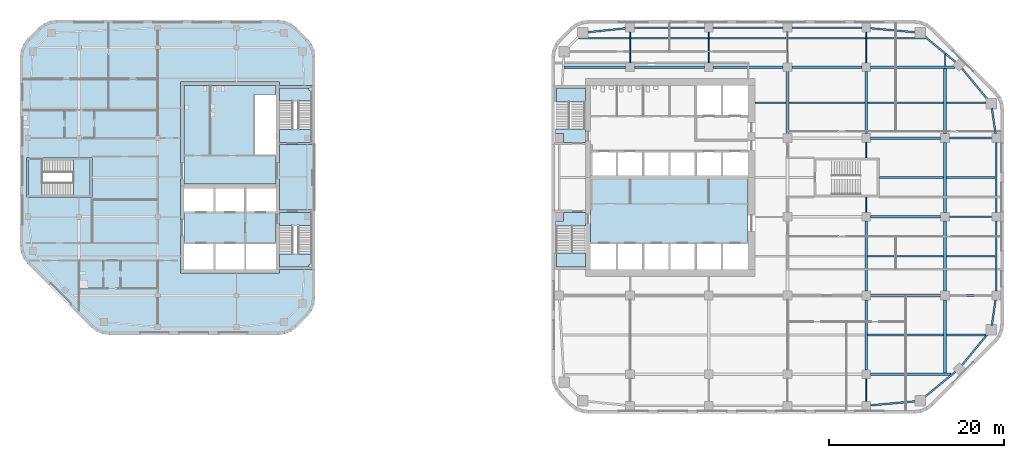
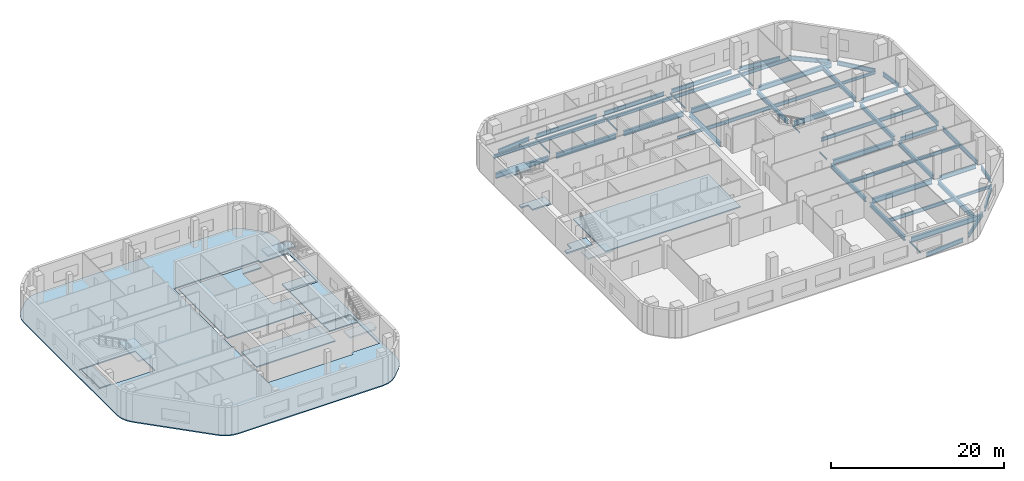
# One storey, part 3 of 14: 57 beams, 14 slabs, 5 elements without a shape of their own.
"""IFC4 building model written with IfcOpenShell, lengths in metres."""

from ifc_helpers import new_model, si_unit, direction, frame, origin, origin_2d, place, context, subcontext, project, spatial, polyline, i_section, outline, extrude, material, layer, layer_set, material_profile, profile_set, type_object, element, aggregate, save


model = new_model("IFC4")

# Units and contexts
model_context = context("Model", 3, precision=1e-05, world=origin(), true_north=direction((0.0, 1.0)))
body_context = subcontext(model_context, "Body", "Model", "MODEL_VIEW")
ifc_project = project(units=[si_unit("LENGTHUNIT", "METRE"), si_unit("AREAUNIT", "SQUARE_METRE"), si_unit("VOLUMEUNIT", "CUBIC_METRE"), si_unit("PLANEANGLEUNIT", "RADIAN"), si_unit("MASSUNIT", "GRAM", prefix="KILO")], contexts=[model_context])

# Site, building, storey
site_placement = place(None, origin())
site = spatial("IfcSite", under=ifc_project, at=site_placement, CompositionType="ELEMENT")
building_placement = place(site_placement, origin())
building = spatial("IfcBuilding", under=site, at=building_placement, Name="Cinnabar Reach Civic Tower", CompositionType="ELEMENT")
storey_placement = place(building_placement, frame((0.0, 0.0, 116.0)))
storey = spatial("IfcBuildingStorey", under=building, at=storey_placement, Name="L27", CompositionType="ELEMENT", Elevation=116.0)

# Beams
ifc_material_1 = material(Name="Steel Q355B", Category="steel")
ifc_material_profile_1 = material_profile(ifc_material_1, i_section(OverallWidth=0.302, OverallDepth=0.594, WebThickness=0.014, FlangeThickness=0.023, FilletRadius=0.016, at=origin_2d()), Name="HM594x302x14x23")
ifc_profile_set_1 = profile_set([ifc_material_profile_1], Name="Steel Q355B")
beam_type_1 = type_object("IfcBeamType", Name="HM594x302x14x23 beam R 180", PredefinedType="BEAM", material=ifc_profile_set_1)
beam_1_placement = place(storey_placement, frame((27.0, 36.502, -0.447), z_axis=(0.0, 1.0, 0.0), x_axis=(-1.0, 0.0, 0.0)))
element("IfcBeam", 1, at=beam_1_placement, inside=storey, type_object=beam_type_1, Name="Girder T1 L27 13", PredefinedType="BEAM", context=body_context, shape_type="SweptSolid", body=[
    extrude(i_section(OverallWidth=0.302, OverallDepth=0.594, WebThickness=0.014, FlangeThickness=0.023, FilletRadius=0.016, at=origin_2d()), origin(), (0.0, 0.0, 1.0), 7.096),
])
for number, where, z_axis, x_axis, name in (
    (2, (36.0, 9.502, -0.447), (0.0, 1.0, 0.0), (-1.0, 0.0, 0.0), "Girder T1 L27 16"),
    (3, (36.0, 18.502, -0.447), (0.0, 1.0, 0.0), (-1.0, 0.0, 0.0), "Girder T1 L27 17"),
):
    element("IfcBeam", number, at=place(storey_placement, frame(where, z_axis=z_axis, x_axis=x_axis)), inside=storey, type_object=beam_type_1, Name=name, PredefinedType="BEAM", context=body_context, shape_type="SweptSolid", body=[
        extrude(i_section(OverallWidth=0.302, OverallDepth=0.594, WebThickness=0.014, FlangeThickness=0.023, FilletRadius=0.016, at=origin_2d()), origin(), (0.0, 0.0, 1.0), 7.996),
    ])
beam_2_placement = place(storey_placement, frame((36.0, 36.502, -0.447), z_axis=(0.0, 1.0, 0.0), x_axis=(-1.0, 0.0, 0.0)))
element("IfcBeam", 4, at=beam_2_placement, inside=storey, type_object=beam_type_1, Name="Girder T1 L27 20", PredefinedType="BEAM", context=body_context, shape_type="SweptSolid", body=[
    extrude(i_section(OverallWidth=0.302, OverallDepth=0.594, WebThickness=0.014, FlangeThickness=0.023, FilletRadius=0.016, at=origin_2d()), origin(), (0.0, 0.0, 1.0), 7.096),
])
beam_3_placement = place(storey_placement, frame((45.0, 9.152, -0.447), z_axis=(0.0, 1.0, 0.0), x_axis=(-1.0, 0.0, 0.0)))
element("IfcBeam", 5, at=beam_3_placement, inside=storey, type_object=beam_type_1, Name="Girder T1 L27 22", PredefinedType="BEAM", context=body_context, shape_type="SweptSolid", body=[
    extrude(i_section(OverallWidth=0.302, OverallDepth=0.594, WebThickness=0.014, FlangeThickness=0.023, FilletRadius=0.016, at=origin_2d()), origin(), (0.0, 0.0, 1.0), 8.346),
])
for number, where, z_axis, x_axis, name in (
    (6, (45.0, 18.502, -0.447), (0.0, 1.0, 0.0), (-1.0, 0.0, 0.0), "Girder T1 L27 23"),
    (7, (45.0, 27.502, -0.447), (0.0, 1.0, 0.0), (-1.0, 0.0, 0.0), "Girder T1 L27 24"),
):
    element("IfcBeam", number, at=place(storey_placement, frame(where, z_axis=z_axis, x_axis=x_axis)), inside=storey, type_object=beam_type_1, Name=name, PredefinedType="BEAM", context=body_context, shape_type="SweptSolid", body=[
        extrude(i_section(OverallWidth=0.302, OverallDepth=0.594, WebThickness=0.014, FlangeThickness=0.023, FilletRadius=0.016, at=origin_2d()), origin(), (0.0, 0.0, 1.0), 7.996),
    ])
beam_4_placement = place(storey_placement, frame((45.0, 36.502, -0.447), z_axis=(0.0, 1.0, 0.0), x_axis=(-1.0, 0.0, 0.0)))
element("IfcBeam", 8, at=beam_4_placement, inside=storey, type_object=beam_type_1, Name="Girder T1 L27 25", PredefinedType="BEAM", context=body_context, shape_type="SweptSolid", body=[
    extrude(i_section(OverallWidth=0.302, OverallDepth=0.594, WebThickness=0.014, FlangeThickness=0.023, FilletRadius=0.016, at=origin_2d()), origin(), (0.0, 0.0, 1.0), 7.446),
])
ifc_material_profile_2 = material_profile(ifc_material_1, i_section(OverallWidth=0.099, OverallDepth=0.198, WebThickness=0.0045, FlangeThickness=0.007, FilletRadius=0.013, at=origin_2d()), Name="HN200x100x5.5x8")
ifc_profile_set_2 = profile_set([ifc_material_profile_2], Name="Steel Q355B")
beam_type_2 = type_object("IfcBeamType", Name="HN200x100x5.5x8 beam R 180", PredefinedType="BEAM", material=ifc_profile_set_2)
for number, where, z_axis, x_axis, name in (
    (9, (9.0, 44.602, -0.249), (0.0, 1.0, 0.0), (-1.0, 0.0, 0.0), "Girder T1 L27 4"),
    (10, (18.0, 44.602, -0.249), (0.0, 1.0, 0.0), (-1.0, 0.0, 0.0), "Girder T1 L27 8"),
    (11, (27.0, 44.602, -0.249), (0.0, 1.0, 0.0), (-1.0, 0.0, 0.0), "Girder T1 L27 14"),
):
    element("IfcBeam", number, at=place(storey_placement, frame(where, z_axis=z_axis, x_axis=x_axis)), inside=storey, type_object=beam_type_2, Name=name, PredefinedType="BEAM", context=body_context, shape_type="SweptSolid", body=[
        extrude(i_section(OverallWidth=0.099, OverallDepth=0.198, WebThickness=0.0045, FlangeThickness=0.007, FilletRadius=0.013, at=origin_2d()), origin(), (0.0, 0.0, 1.0), 3.496),
    ])
beam_5_placement = place(storey_placement, frame((36.0, 5.902, -0.249), z_axis=(0.0, 1.0, 0.0), x_axis=(-1.0, 0.0, 0.0)))
element("IfcBeam", 12, at=beam_5_placement, inside=storey, type_object=beam_type_2, Name="Girder T1 L27 15", PredefinedType="BEAM", context=body_context, shape_type="SweptSolid", body=[
    extrude(i_section(OverallWidth=0.099, OverallDepth=0.198, WebThickness=0.0045, FlangeThickness=0.007, FilletRadius=0.013, at=origin_2d()), origin(), (0.0, 0.0, 1.0), 2.596),
])
for number, where, z_axis, x_axis, name in (
    (13, (36.0, 27.502, -0.249), (0.0, 1.0, 0.0), (-1.0, 0.0, 0.0), "Girder T1 L27 18"),
    (14, (36.0, 33.752, -0.249), (0.0, 1.0, 0.0), (-1.0, 0.0, 0.0), "Girder T1 L27 19"),
):
    element("IfcBeam", number, at=place(storey_placement, frame(where, z_axis=z_axis, x_axis=x_axis)), inside=storey, type_object=beam_type_2, Name=name, PredefinedType="BEAM", context=body_context, shape_type="SweptSolid", body=[
        extrude(i_section(OverallWidth=0.099, OverallDepth=0.198, WebThickness=0.0045, FlangeThickness=0.007, FilletRadius=0.013, at=origin_2d()), origin(), (0.0, 0.0, 1.0), 1.746),
    ])
beam_6_placement = place(storey_placement, frame((36.0, 44.602, -0.249), z_axis=(0.0, 1.0, 0.0), x_axis=(-1.0, 0.0, 0.0)))
element("IfcBeam", 15, at=beam_6_placement, inside=storey, type_object=beam_type_2, Name="Girder T1 L27 21", PredefinedType="BEAM", context=body_context, shape_type="SweptSolid", body=[
    extrude(i_section(OverallWidth=0.099, OverallDepth=0.198, WebThickness=0.0045, FlangeThickness=0.007, FilletRadius=0.013, at=origin_2d()), origin(), (0.0, 0.0, 1.0), 3.496),
])
beam_7_placement = place(storey_placement, frame((45.0, 44.252, -0.249), z_axis=(0.0, 1.0, 0.0), x_axis=(-1.0, 0.0, 0.0)))
element("IfcBeam", 16, at=beam_7_placement, inside=storey, type_object=beam_type_2, Name="Girder T1 L27 26", PredefinedType="BEAM", context=body_context, shape_type="SweptSolid", body=[
    extrude(i_section(OverallWidth=0.099, OverallDepth=0.198, WebThickness=0.0045, FlangeThickness=0.007, FilletRadius=0.013, at=origin_2d()), origin(), (0.0, 0.0, 1.0), 1.3103),
])
ifc_material_profile_3 = material_profile(ifc_material_1, i_section(OverallWidth=0.199, OverallDepth=0.396, WebThickness=0.007, FlangeThickness=0.011, FilletRadius=0.013, at=origin_2d()), Name="HN396x199x7x11")
ifc_profile_set_3 = profile_set([ifc_material_profile_3], Name="Steel Q355B")
beam_type_3 = type_object("IfcBeamType", Name="HN396x199x7x11 beam R 180", PredefinedType="BEAM", material=ifc_profile_set_3)
beam_8_placement = place(storey_placement, frame((45.153, 13.5, -0.348), z_axis=(1.0, 0.0, 0.0), x_axis=(0.0, 1.0, 0.0)))
element("IfcBeam", 17, at=beam_8_placement, inside=storey, type_object=beam_type_3, Name="Secondary beam T1 L27 6", PredefinedType="BEAM", context=body_context, shape_type="SweptSolid", body=[
    extrude(i_section(OverallWidth=0.199, OverallDepth=0.396, WebThickness=0.007, FlangeThickness=0.011, FilletRadius=0.013, at=origin_2d()), origin(), (0.0, 0.0, 1.0), 4.5152),
])
beam_9_placement = place(storey_placement, frame((23.302, 40.05, -0.348), z_axis=(1.0, 0.0, 0.0), x_axis=(0.0, 1.0, 0.0)))
element("IfcBeam", 18, at=beam_9_placement, inside=storey, type_object=beam_type_3, Name="Secondary beam T1 L27 16", PredefinedType="BEAM", context=body_context, shape_type="SweptSolid", body=[
    extrude(i_section(OverallWidth=0.199, OverallDepth=0.396, WebThickness=0.007, FlangeThickness=0.011, FilletRadius=0.013, at=origin_2d()), origin(), (0.0, 0.0, 1.0), 3.545),
])
beam_10_placement = place(storey_placement, frame((45.153, 40.05, -0.348), z_axis=(1.0, 0.0, 0.0), x_axis=(0.0, 1.0, 0.0)))
element("IfcBeam", 19, at=beam_10_placement, inside=storey, type_object=beam_type_3, Name="Secondary beam T1 L27 19", PredefinedType="BEAM", context=body_context, shape_type="SweptSolid", body=[
    extrude(i_section(OverallWidth=0.199, OverallDepth=0.396, WebThickness=0.007, FlangeThickness=0.011, FilletRadius=0.013, at=origin_2d()), origin(), (0.0, 0.0, 1.0), 4.5419),
])
ifc_material_profile_4 = material_profile(ifc_material_1, i_section(OverallWidth=0.199, OverallDepth=0.496, WebThickness=0.009, FlangeThickness=0.014, FilletRadius=0.016, at=origin_2d()), Name="HN496x199x9x14")
ifc_profile_set_4 = profile_set([ifc_material_profile_4], Name="Steel Q355B")
beam_type_4 = type_object("IfcBeamType", Name="HN496x199x9x14 beam R 180", PredefinedType="BEAM", material=ifc_profile_set_4)
for number, where, z_axis, x_axis, name in (
    (20, (36.153, 13.5, -0.398), (1.0, 0.0, 0.0), (0.0, 1.0, 0.0), "Secondary beam T1 L27 5"),
    (21, (36.153, 22.5, -0.398), (1.0, 0.0, 0.0), (0.0, 1.0, 0.0), "Secondary beam T1 L27 9"),
):
    element("IfcBeam", number, at=place(storey_placement, frame(where, z_axis=z_axis, x_axis=x_axis)), inside=storey, type_object=beam_type_4, Name=name, PredefinedType="BEAM", context=body_context, shape_type="SweptSolid", body=[
        extrude(i_section(OverallWidth=0.199, OverallDepth=0.496, WebThickness=0.009, FlangeThickness=0.014, FilletRadius=0.016, at=origin_2d()), origin(), (0.0, 0.0, 1.0), 8.694),
    ])
beam_11_placement = place(storey_placement, frame((45.153, 22.5, -0.398), z_axis=(1.0, 0.0, 0.0), x_axis=(0.0, 1.0, 0.0)))
element("IfcBeam", 22, at=beam_11_placement, inside=storey, type_object=beam_type_4, Name="Secondary beam T1 L27 10", PredefinedType="BEAM", context=body_context, shape_type="SweptSolid", body=[
    extrude(i_section(OverallWidth=0.199, OverallDepth=0.496, WebThickness=0.009, FlangeThickness=0.014, FilletRadius=0.016, at=origin_2d()), origin(), (0.0, 0.0, 1.0), 5.595),
])
beam_12_placement = place(storey_placement, frame((37.502, 31.5, -0.398), z_axis=(1.0, 0.0, 0.0), x_axis=(0.0, 1.0, 0.0)))
element("IfcBeam", 23, at=beam_12_placement, inside=storey, type_object=beam_type_4, Name="Secondary beam T1 L27 14", PredefinedType="BEAM", context=body_context, shape_type="SweptSolid", body=[
    extrude(i_section(OverallWidth=0.199, OverallDepth=0.496, WebThickness=0.009, FlangeThickness=0.014, FilletRadius=0.016, at=origin_2d()), origin(), (0.0, 0.0, 1.0), 7.345),
])
beam_13_placement = place(storey_placement, frame((45.153, 31.5, -0.398), z_axis=(1.0, 0.0, 0.0), x_axis=(0.0, 1.0, 0.0)))
element("IfcBeam", 24, at=beam_13_placement, inside=storey, type_object=beam_type_4, Name="Secondary beam T1 L27 15", PredefinedType="BEAM", context=body_context, shape_type="SweptSolid", body=[
    extrude(i_section(OverallWidth=0.199, OverallDepth=0.496, WebThickness=0.009, FlangeThickness=0.014, FilletRadius=0.016, at=origin_2d()), origin(), (0.0, 0.0, 1.0), 5.595),
])
for number, where, z_axis, x_axis, name in (
    (25, (27.153, 40.05, -0.398), (1.0, 0.0, 0.0), (0.0, 1.0, 0.0), "Secondary beam T1 L27 17"),
    (26, (36.153, 40.05, -0.398), (1.0, 0.0, 0.0), (0.0, 1.0, 0.0), "Secondary beam T1 L27 18"),
):
    element("IfcBeam", number, at=place(storey_placement, frame(where, z_axis=z_axis, x_axis=x_axis)), inside=storey, type_object=beam_type_4, Name=name, PredefinedType="BEAM", context=body_context, shape_type="SweptSolid", body=[
        extrude(i_section(OverallWidth=0.199, OverallDepth=0.496, WebThickness=0.009, FlangeThickness=0.014, FilletRadius=0.016, at=origin_2d()), origin(), (0.0, 0.0, 1.0), 8.694),
    ])
beam_14_placement = place(storey_placement, frame((3.0992, 47.4, -0.398), z_axis=(1.0, 0.0, 0.0), x_axis=(0.0, 1.0, 0.0)))
element("IfcBeam", 27, at=beam_14_placement, inside=storey, type_object=beam_type_4, Name="Secondary beam T1 L27 20", PredefinedType="BEAM", context=body_context, shape_type="SweptSolid", body=[
    extrude(i_section(OverallWidth=0.199, OverallDepth=0.496, WebThickness=0.009, FlangeThickness=0.014, FilletRadius=0.016, at=origin_2d()), origin(), (0.0, 0.0, 1.0), 5.8493),
])
for number, where, z_axis, x_axis, name in (
    (28, (9.0515, 47.4, -0.398), (1.0, 0.0, 0.0), (0.0, 1.0, 0.0), "Secondary beam T1 L27 21"),
    (29, (18.0515, 47.4, -0.398), (1.0, 0.0, 0.0), (0.0, 1.0, 0.0), "Secondary beam T1 L27 22"),
    (30, (27.0515, 47.4, -0.398), (1.0, 0.0, 0.0), (0.0, 1.0, 0.0), "Secondary beam T1 L27 23"),
):
    element("IfcBeam", number, at=place(storey_placement, frame(where, z_axis=z_axis, x_axis=x_axis)), inside=storey, type_object=beam_type_4, Name=name, PredefinedType="BEAM", context=body_context, shape_type="SweptSolid", body=[
        extrude(i_section(OverallWidth=0.199, OverallDepth=0.496, WebThickness=0.009, FlangeThickness=0.014, FilletRadius=0.016, at=origin_2d()), origin(), (0.0, 0.0, 1.0), 8.897),
    ])
beam_15_placement = place(storey_placement, frame((36.0515, 47.4, -0.398), z_axis=(1.0, 0.0, 0.0), x_axis=(0.0, 1.0, 0.0)))
element("IfcBeam", 31, at=beam_15_placement, inside=storey, type_object=beam_type_4, Name="Secondary beam T1 L27 24", PredefinedType="BEAM", context=body_context, shape_type="SweptSolid", body=[
    extrude(i_section(OverallWidth=0.199, OverallDepth=0.496, WebThickness=0.009, FlangeThickness=0.014, FilletRadius=0.016, at=origin_2d()), origin(), (0.0, 0.0, 1.0), 6.7206),
])
ifc_material_profile_5 = material_profile(ifc_material_1, i_section(OverallWidth=0.199, OverallDepth=0.596, WebThickness=0.01, FlangeThickness=0.015, FilletRadius=0.016, at=origin_2d()), Name="HN596x199x10x15")
ifc_profile_set_5 = profile_set([ifc_material_profile_5], Name="Steel Q355B")
beam_type_5 = type_object("IfcBeamType", Name="HN596x199x10x15 beam R 180", PredefinedType="BEAM", material=ifc_profile_set_5)
for number, where, z_axis, x_axis, name in (
    (32, (45.502, 18.0, -0.448), (1.0, 0.0, 0.0), (0.0, 1.0, 0.0), "Girder T1 L27 11"),
    (33, (45.502, 27.0, -0.448), (1.0, 0.0, 0.0), (0.0, 1.0, 0.0), "Girder T1 L27 15"),
    (34, (45.502, 36.0, -0.448), (1.0, 0.0, 0.0), (0.0, 1.0, 0.0), "Girder T1 L27 19"),
):
    element("IfcBeam", number, at=place(storey_placement, frame(where, z_axis=z_axis, x_axis=x_axis)), inside=storey, type_object=beam_type_5, Name=name, PredefinedType="BEAM", context=body_context, shape_type="SweptSolid", body=[
        extrude(i_section(OverallWidth=0.199, OverallDepth=0.596, WebThickness=0.01, FlangeThickness=0.015, FilletRadius=0.016, at=origin_2d()), origin(), (0.0, 0.0, 1.0), 4.846),
    ])
ifc_material_profile_6 = material_profile(ifc_material_1, i_section(OverallWidth=0.2, OverallDepth=0.6, WebThickness=0.011, FlangeThickness=0.017, FilletRadius=0.016, at=origin_2d()), Name="HN600x200x11x17")
ifc_profile_set_6 = profile_set([ifc_material_profile_6], Name="Steel Q355B")
beam_type_6 = type_object("IfcBeamType", Name="HN600x200x11x17 beam R 180", PredefinedType="BEAM", material=ifc_profile_set_6)
beam_16_placement = place(storey_placement, frame((36.502, 5.4452, -0.45), z_axis=(0.995979069281, 0.089586235294, 0.0), x_axis=(-0.089586235294, 0.995979069281, 0.0)))
element("IfcBeam", 35, at=beam_16_placement, inside=storey, type_object=beam_type_6, Name="Edge beam T1 L27 5", PredefinedType="BEAM", context=body_context, shape_type="SweptSolid", body=[
    extrude(i_section(OverallWidth=0.2, OverallDepth=0.6, WebThickness=0.011, FlangeThickness=0.017, FilletRadius=0.016, at=origin_2d()), origin(), (0.0, 0.0, 1.0), 5.1849),
])
for number, where, z_axis, x_axis, name in (
    (36, (42.6301, 6.3507, -0.45), (0.77143827905, 0.6363041581, 0.0), (-0.6363041581, 0.77143827905, 0.0), "Edge beam T1 L27 6"),
    (37, (46.8961, 9.9789, -0.45), (0.6363041581, 0.77143827905, 0.0), (-0.77143827905, 0.6363041581, 0.0), "Edge beam T1 L27 7"),
):
    element("IfcBeam", number, at=place(storey_placement, frame(where, z_axis=z_axis, x_axis=x_axis)), inside=storey, type_object=beam_type_6, Name=name, PredefinedType="BEAM", context=body_context, shape_type="SweptSolid", body=[
        extrude(i_section(OverallWidth=0.2, OverallDepth=0.6, WebThickness=0.011, FlangeThickness=0.017, FilletRadius=0.016, at=origin_2d()), origin(), (0.0, 0.0, 1.0), 4.7198),
    ])
beam_17_placement = place(storey_placement, frame((50.3653, 14.5839, -0.45), z_axis=(0.140489003738, 0.990082238922, 0.0), x_axis=(-0.990082238922, 0.140489003738, 0.0)))
element("IfcBeam", 38, at=beam_17_placement, inside=storey, type_object=beam_type_6, Name="Edge beam T1 L27 8", PredefinedType="BEAM", context=body_context, shape_type="SweptSolid", body=[
    extrude(i_section(OverallWidth=0.2, OverallDepth=0.6, WebThickness=0.011, FlangeThickness=0.017, FilletRadius=0.016, at=origin_2d()), origin(), (0.0, 0.0, 1.0), 2.9433),
])
for number, where, z_axis, x_axis, name in (
    (39, (50.85, 18.502, -0.45), (0.0, 1.0, 0.0), (-1.0, 0.0, 0.0), "Edge beam T1 L27 9"),
    (40, (50.85, 27.502, -0.45), (0.0, 1.0, 0.0), (-1.0, 0.0, 0.0), "Edge beam T1 L27 10"),
):
    element("IfcBeam", number, at=place(storey_placement, frame(where, z_axis=z_axis, x_axis=x_axis)), inside=storey, type_object=beam_type_6, Name=name, PredefinedType="BEAM", context=body_context, shape_type="SweptSolid", body=[
        extrude(i_section(OverallWidth=0.2, OverallDepth=0.6, WebThickness=0.011, FlangeThickness=0.017, FilletRadius=0.016, at=origin_2d()), origin(), (0.0, 0.0, 1.0), 7.996),
    ])
beam_18_placement = place(storey_placement, frame((50.7788, 36.502, -0.45), z_axis=(-0.140489003738, 0.990082238922, 0.0), x_axis=(-0.990082238922, -0.140489003738, 0.0)))
element("IfcBeam", 41, at=beam_18_placement, inside=storey, type_object=beam_type_6, Name="Edge beam T1 L27 11", PredefinedType="BEAM", context=body_context, shape_type="SweptSolid", body=[
    extrude(i_section(OverallWidth=0.2, OverallDepth=0.6, WebThickness=0.011, FlangeThickness=0.017, FilletRadius=0.016, at=origin_2d()), origin(), (0.0, 0.0, 1.0), 2.9433),
])
for number, where, z_axis, x_axis, name in (
    (42, (49.8993, 40.3801, -0.45), (-0.6363041581, 0.77143827905, 0.0), (-0.77143827905, -0.6363041581, 0.0), "Edge beam T1 L27 12"),
    (43, (46.2711, 44.6461, -0.45), (-0.77143827905, 0.6363041581, 0.0), (-0.6363041581, -0.77143827905, 0.0), "Edge beam T1 L27 13"),
):
    element("IfcBeam", number, at=place(storey_placement, frame(where, z_axis=z_axis, x_axis=x_axis)), inside=storey, type_object=beam_type_6, Name=name, PredefinedType="BEAM", context=body_context, shape_type="SweptSolid", body=[
        extrude(i_section(OverallWidth=0.2, OverallDepth=0.6, WebThickness=0.011, FlangeThickness=0.017, FilletRadius=0.016, at=origin_2d()), origin(), (0.0, 0.0, 1.0), 4.7198),
    ])
beam_19_placement = place(storey_placement, frame((41.6661, 48.0903, -0.45), z_axis=(-0.995979069281, 0.089586235294, 0.0), x_axis=(-0.089586235294, -0.995979069281, 0.0)))
element("IfcBeam", 44, at=beam_19_placement, inside=storey, type_object=beam_type_6, Name="Edge beam T1 L27 14", PredefinedType="BEAM", context=body_context, shape_type="SweptSolid", body=[
    extrude(i_section(OverallWidth=0.2, OverallDepth=0.6, WebThickness=0.011, FlangeThickness=0.017, FilletRadius=0.016, at=origin_2d()), origin(), (0.0, 0.0, 1.0), 5.1849),
])
for number, where, z_axis, x_axis, name in (
    (45, (35.498, 48.6, -0.45), (-1.0, 0.0, 0.0), (0.0, -1.0, 0.0), "Edge beam T1 L27 15"),
    (46, (26.498, 48.6, -0.45), (-1.0, 0.0, 0.0), (0.0, -1.0, 0.0), "Edge beam T1 L27 16"),
    (47, (17.498, 48.6, -0.45), (-1.0, 0.0, 0.0), (0.0, -1.0, 0.0), "Edge beam T1 L27 17"),
):
    element("IfcBeam", number, at=place(storey_placement, frame(where, z_axis=z_axis, x_axis=x_axis)), inside=storey, type_object=beam_type_6, Name=name, PredefinedType="BEAM", context=body_context, shape_type="SweptSolid", body=[
        extrude(i_section(OverallWidth=0.2, OverallDepth=0.6, WebThickness=0.011, FlangeThickness=0.017, FilletRadius=0.016, at=origin_2d()), origin(), (0.0, 0.0, 1.0), 7.996),
    ])
beam_20_placement = place(storey_placement, frame((8.498, 48.5486, -0.45), z_axis=(-0.994791228755, -0.101933366432, 0.0), x_axis=(0.101933366432, -0.994791228755, 0.0)))
element("IfcBeam", 48, at=beam_20_placement, inside=storey, type_object=beam_type_6, Name="Edge beam T1 L27 18", PredefinedType="BEAM", context=body_context, shape_type="SweptSolid", body=[
    extrude(i_section(OverallWidth=0.2, OverallDepth=0.6, WebThickness=0.011, FlangeThickness=0.017, FilletRadius=0.016, at=origin_2d()), origin(), (0.0, 0.0, 1.0), 4.4372),
])
ifc_material_profile_7 = material_profile(ifc_material_1, i_section(OverallWidth=0.3, OverallDepth=0.692, WebThickness=0.013, FlangeThickness=0.02, FilletRadius=0.016, at=origin_2d()), Name="HN692x300x13x20")
ifc_profile_set_7 = profile_set([ifc_material_profile_7], Name="Steel Q355B")
beam_type_7 = type_object("IfcBeamType", Name="HN692x300x13x20 beam R 180", PredefinedType="BEAM", material=ifc_profile_set_7)
beam_21_placement = place(storey_placement, frame((36.502, 9.0, -0.496), z_axis=(1.0, 0.0, 0.0), x_axis=(0.0, 1.0, 0.0)))
element("IfcBeam", 49, at=beam_21_placement, inside=storey, type_object=beam_type_7, Name="Girder T1 L27 5", PredefinedType="BEAM", context=body_context, shape_type="SweptSolid", body=[
    extrude(i_section(OverallWidth=0.3, OverallDepth=0.692, WebThickness=0.013, FlangeThickness=0.02, FilletRadius=0.016, at=origin_2d()), origin(), (0.0, 0.0, 1.0), 9.1798),
])
for number, where, z_axis, x_axis, name in (
    (50, (36.502, 18.0, -0.496), (1.0, 0.0, 0.0), (0.0, 1.0, 0.0), "Girder T1 L27 10"),
    (51, (36.502, 27.0, -0.496), (1.0, 0.0, 0.0), (0.0, 1.0, 0.0), "Girder T1 L27 14"),
    (52, (36.502, 36.0, -0.496), (1.0, 0.0, 0.0), (0.0, 1.0, 0.0), "Girder T1 L27 18"),
):
    element("IfcBeam", number, at=place(storey_placement, frame(where, z_axis=z_axis, x_axis=x_axis)), inside=storey, type_object=beam_type_7, Name=name, PredefinedType="BEAM", context=body_context, shape_type="SweptSolid", body=[
        extrude(i_section(OverallWidth=0.3, OverallDepth=0.692, WebThickness=0.013, FlangeThickness=0.02, FilletRadius=0.016, at=origin_2d()), origin(), (0.0, 0.0, 1.0), 7.996),
    ])
beam_22_placement = place(storey_placement, frame((1.4548, 44.1, -0.496), z_axis=(1.0, 0.0, 0.0), x_axis=(0.0, 1.0, 0.0)))
element("IfcBeam", 53, at=beam_22_placement, inside=storey, type_object=beam_type_7, Name="Girder T1 L27 20", PredefinedType="BEAM", context=body_context, shape_type="SweptSolid", body=[
    extrude(i_section(OverallWidth=0.3, OverallDepth=0.692, WebThickness=0.013, FlangeThickness=0.02, FilletRadius=0.016, at=origin_2d()), origin(), (0.0, 0.0, 1.0), 7.0432),
])
for number, where, z_axis, x_axis, name in (
    (54, (9.502, 44.1, -0.496), (1.0, 0.0, 0.0), (0.0, 1.0, 0.0), "Girder T1 L27 21"),
    (55, (18.502, 44.1, -0.496), (1.0, 0.0, 0.0), (0.0, 1.0, 0.0), "Girder T1 L27 22"),
    (56, (27.502, 44.1, -0.496), (1.0, 0.0, 0.0), (0.0, 1.0, 0.0), "Girder T1 L27 23"),
):
    element("IfcBeam", number, at=place(storey_placement, frame(where, z_axis=z_axis, x_axis=x_axis)), inside=storey, type_object=beam_type_7, Name=name, PredefinedType="BEAM", context=body_context, shape_type="SweptSolid", body=[
        extrude(i_section(OverallWidth=0.3, OverallDepth=0.692, WebThickness=0.013, FlangeThickness=0.02, FilletRadius=0.016, at=origin_2d()), origin(), (0.0, 0.0, 1.0), 7.996),
    ])
beam_23_placement = place(storey_placement, frame((36.502, 44.1, -0.496), z_axis=(1.0, 0.0, 0.0), x_axis=(0.0, 1.0, 0.0)))
element("IfcBeam", 57, at=beam_23_placement, inside=storey, type_object=beam_type_7, Name="Girder T1 L27 24", PredefinedType="BEAM", context=body_context, shape_type="SweptSolid", body=[
    extrude(i_section(OverallWidth=0.3, OverallDepth=0.692, WebThickness=0.013, FlangeThickness=0.02, FilletRadius=0.016, at=origin_2d()), origin(), (0.0, 0.0, 1.0), 9.6653),
])

# Slab
ifc_material_2 = material(Name="Concrete C40", Category="concrete")
ifc_layer_1 = layer(ifc_material_2, 0.15)
ifc_layer_set_1 = layer_set([ifc_layer_1], Name="Composite floor slab 150 REI 120")
slab_type_1 = type_object("IfcSlabType", Name="Composite floor slab 150 REI 120", PredefinedType="FLOOR", material=ifc_layer_set_1)
slab_1_placement = place(storey_placement, frame((0.0, 0.0, -0.15)))
element("IfcSlab", 58, at=slab_1_placement, inside=storey, type_object=slab_type_1, Name="Composite floor slab 150 T2 L27", PredefinedType="FLOOR", context=body_context, shape_type="SweptSolid", body=[
    extrude(outline(polyline([(-59.8713, 21.6213), (-60.3481, 22.2426), (-60.6478, 22.9662), (-60.75, 23.7426), (-60.75, 45.2574), (-60.6478, 46.0338), (-60.3481, 46.7574), (-59.8713, 47.3787), (-58.6287, 48.6213), (-58.0074, 49.0981), (-57.2838, 49.3978), (-56.5074, 49.5), (-31.2426, 49.5), (-30.4662, 49.3978), (-29.7426, 49.0981), (-29.1213, 48.6213), (-27.8787, 47.3787), (-27.4019, 46.7574), (-27.1022, 46.0338), (-27.0, 45.2574), (-27.0, 17.7426), (-27.1022, 16.9662), (-27.4019, 16.2426), (-27.8787, 15.6213), (-29.1213, 14.3787), (-29.7426, 13.9019), (-30.4662, 13.6022), (-31.2426, 13.5), (-50.5074, 13.5), (-51.2838, 13.6022), (-52.0074, 13.9019), (-52.6287, 14.3787), (-59.8713, 21.6213)]), holes=[polyline([(-31.1, 27.75), (-31.1, 35.25), (-27.36, 35.25), (-27.36, 42.0), (-31.1, 42.0), (-31.1, 42.4), (-42.4, 42.4), (-42.4, 20.6), (-31.1, 20.6), (-31.1, 21.0), (-27.36, 21.0), (-27.36, 27.75), (-31.1, 27.75)]), polyline([(-60.0, 33.75), (-60.0, 29.25), (-52.5, 29.25), (-52.5, 33.75), (-60.0, 33.75)])]), origin(), (0.0, 0.0, 1.0), 0.15),
])

# Stair, slabs
ifc_material_3 = material(Name="Concrete C40/50", Category="concrete")
stair_type_1 = type_object("IfcStairType", Name="T1 Exit stair, half-turn", PredefinedType="HALF_TURN_STAIR", material=ifc_material_3)
stair_1_placement = place(storey_placement, origin())
stair_1 = element("IfcStair", 59, at=stair_1_placement, inside=storey, type_object=stair_type_1, Name="Stair T1-S1", PredefinedType="HALF_TURN_STAIR")
ifc_layer_2 = layer(ifc_material_3, 0.2)
ifc_layer_set_2 = layer_set([ifc_layer_2], Name="T1 Stair landing 200, Concrete C40/50")
slab_type_2 = type_object("IfcSlabType", Name="T1 Stair landing 200, Concrete C40/50", PredefinedType="LANDING", material=ifc_layer_set_2)
slab_2_placement = place(storey_placement, frame((0.0, 0.0, -0.2)))
slab_2 = element("IfcSlab", 60, at=slab_2_placement, type_object=slab_type_2, Name="T1-S1 landing 1", PredefinedType="LANDING", context=body_context, shape_type="SweptSolid", body=[
    extrude(outline(polyline([(3.9, 27.5), (3.9, 25.95), (0.5, 25.95), (0.5, 26.5), (1.4, 26.5), (1.4, 27.5), (3.9, 27.5)])), origin(), (0.0, 0.0, 1.0), 0.2),
])
slab_3_placement = place(storey_placement, frame((0.0, 0.0, 1.8)))
slab_3 = element("IfcSlab", 61, at=slab_3_placement, type_object=slab_type_2, Name="T1-S1 landing 2", PredefinedType="LANDING", context=body_context, shape_type="SweptSolid", body=[
    extrude(outline(polyline([(0.6, 21.25), (0.6, 22.87), (3.9, 22.87), (3.9, 21.25), (0.6, 21.25)])), origin(), (0.0, 0.0, 1.0), 0.2),
])
aggregate(stair_1, [slab_2, slab_3])

stair_2_placement = place(storey_placement, origin())
stair_2 = element("IfcStair", 62, at=stair_2_placement, inside=storey, type_object=stair_type_1, Name="Stair T1-S2", PredefinedType="HALF_TURN_STAIR")
slab_4_placement = place(storey_placement, frame((0.0, 0.0, -0.2)))
slab_4 = element("IfcSlab", 63, at=slab_4_placement, type_object=slab_type_2, Name="T1-S2 landing 1", PredefinedType="LANDING", context=body_context, shape_type="SweptSolid", body=[
    extrude(outline(polyline([(0.5, 37.05), (3.9, 37.05), (3.9, 35.5), (1.4, 35.5), (1.4, 36.5), (0.5, 36.5), (0.5, 37.05)])), origin(), (0.0, 0.0, 1.0), 0.2),
])
slab_5_placement = place(storey_placement, frame((0.0, 0.0, 1.8)))
slab_5 = element("IfcSlab", 64, at=slab_5_placement, type_object=slab_type_2, Name="T1-S2 landing 2", PredefinedType="LANDING", context=body_context, shape_type="SweptSolid", body=[
    extrude(outline(polyline([(0.6, 40.13), (0.6, 41.75), (3.9, 41.75), (3.9, 40.13), (0.6, 40.13)])), origin(), (0.0, 0.0, 1.0), 0.2),
])
aggregate(stair_2, [slab_4, slab_5])

# Slabs
ifc_layer_3 = layer(ifc_material_3, 0.15)
ifc_layer_set_3 = layer_set([ifc_layer_3], Name="T1 core floor slab 150")
slab_type_3 = type_object("IfcSlabType", Name="T1 core floor slab 150", PredefinedType="FLOOR", material=ifc_layer_set_3)
slab_6_placement = place(storey_placement, frame((0.0, 0.0, -0.15)))
element("IfcSlab", 65, at=slab_6_placement, inside=storey, type_object=slab_type_3, Name="Core floor slab L27", PredefinedType="FLOOR", context=body_context, shape_type="SweptSolid", body=[
    extrude(outline(polyline([(22.5, 24.0), (19.5, 24.0), (16.5, 24.0), (13.5, 24.0), (10.5, 24.0), (7.5, 24.0), (4.5, 24.0), (4.5, 31.5), (7.5, 31.5), (10.5, 31.5), (13.5, 31.5), (16.5, 31.5), (19.5, 31.5), (22.5, 31.5), (22.5, 24.0)])), origin(), (0.0, 0.0, 1.0), 0.15),
])
ifc_layer_4 = layer(ifc_material_2, 0.15)
ifc_layer_set_4 = layer_set([ifc_layer_4], Name="T2 Core floor slab 150")
slab_type_4 = type_object("IfcSlabType", Name="T2 Core floor slab 150", PredefinedType="FLOOR", material=ifc_layer_set_4)
slab_7_placement = place(storey_placement, frame((0.0, 0.0, -0.15)))
element("IfcSlab", 66, at=slab_7_placement, inside=storey, type_object=slab_type_4, Name="Core floor slab L27", PredefinedType="FLOOR", context=body_context, shape_type="SweptSolid", body=[
    extrude(outline(polyline([(-42.0, 42.0), (-31.5, 42.0), (-31.5, 41.0), (-34.0, 41.0), (-34.0, 34.0), (-31.5, 34.0), (-31.5, 30.75), (-42.0, 30.75), (-42.0, 42.0)])), origin(), (0.0, 0.0, 1.0), 0.15),
])
slab_8_placement = place(storey_placement, frame((0.0, 0.0, -0.15)))
element("IfcSlab", 67, at=slab_8_placement, inside=storey, type_object=slab_type_4, Name="Core floor slab L27", PredefinedType="FLOOR", context=body_context, shape_type="SweptSolid", body=[
    extrude(outline(polyline([(-35.0, 24.0), (-38.5, 24.0), (-42.0, 24.0), (-42.0, 27.5), (-38.5, 27.5), (-35.0, 27.5), (-31.5, 27.5), (-31.5, 24.0), (-35.0, 24.0)])), origin(), (0.0, 0.0, 1.0), 0.15),
])

# Stair, slabs
stair_type_2 = type_object("IfcStairType", Name="T2 Exit stair 1500", PredefinedType="HALF_TURN_STAIR", material=ifc_material_2)
stair_3_placement = place(storey_placement, origin())
stair_3 = element("IfcStair", 68, at=stair_3_placement, inside=storey, type_object=stair_type_2, Name="Exit stair 1", PredefinedType="HALF_TURN_STAIR")
ifc_layer_5 = layer(ifc_material_2, 0.2)
ifc_layer_set_5 = layer_set([ifc_layer_5], Name="T2 Stair landing 200")
slab_type_5 = type_object("IfcSlabType", Name="T2 Stair landing 200", PredefinedType="LANDING", material=ifc_layer_set_5)
slab_9_placement = place(storey_placement, frame((0.0, 0.0, -0.2)))
slab_9 = element("IfcSlab", 69, at=slab_9_placement, type_object=slab_type_5, Name="ST1 landing 1", PredefinedType="LANDING", context=body_context, shape_type="SweptSolid", body=[
    extrude(outline(polyline([(-31.1, 26.0), (-31.1, 27.5), (-27.4, 27.5), (-27.4, 26.0), (-31.1, 26.0)])), origin(), (0.0, 0.0, 1.0), 0.2),
])
slab_10_placement = place(storey_placement, frame((0.0, 0.0, 1.8)))
slab_10 = element("IfcSlab", 70, at=slab_10_placement, type_object=slab_type_5, Name="ST1 landing 2", PredefinedType="LANDING", context=body_context, shape_type="SweptSolid", body=[
    extrude(outline(polyline([(-31.1, 21.25), (-31.1, 22.75), (-27.4, 22.75), (-27.4, 21.55), (-27.7, 21.55), (-27.7, 21.25), (-31.1, 21.25)])), origin(), (0.0, 0.0, 1.0), 0.2),
])
aggregate(stair_3, [slab_9, slab_10])

stair_4_placement = place(storey_placement, origin())
stair_4 = element("IfcStair", 71, at=stair_4_placement, inside=storey, type_object=stair_type_2, Name="Exit stair 2", PredefinedType="HALF_TURN_STAIR")
slab_11_placement = place(storey_placement, frame((0.0, 0.0, -0.2)))
slab_11 = element("IfcSlab", 72, at=slab_11_placement, type_object=slab_type_5, Name="ST2 landing 1", PredefinedType="LANDING", context=body_context, shape_type="SweptSolid", body=[
    extrude(outline(polyline([(-31.1, 35.5), (-31.1, 37.0), (-27.4, 37.0), (-27.4, 35.5), (-31.1, 35.5)])), origin(), (0.0, 0.0, 1.0), 0.2),
])
slab_12_placement = place(storey_placement, frame((0.0, 0.0, 1.8)))
slab_12 = element("IfcSlab", 73, at=slab_12_placement, type_object=slab_type_5, Name="ST2 landing 2", PredefinedType="LANDING", context=body_context, shape_type="SweptSolid", body=[
    extrude(outline(polyline([(-27.4, 40.25), (-31.1, 40.25), (-31.1, 41.75), (-27.7, 41.75), (-27.7, 41.45), (-27.4, 41.45), (-27.4, 40.25)])), origin(), (0.0, 0.0, 1.0), 0.2),
])
aggregate(stair_4, [slab_11, slab_12])

stair_5_placement = place(storey_placement, origin())
stair_5 = element("IfcStair", 74, at=stair_5_placement, inside=storey, type_object=stair_type_2, Name="Exit stair 3", PredefinedType="HALF_TURN_STAIR")
slab_13_placement = place(storey_placement, frame((0.0, 0.0, -0.2)))
slab_13 = element("IfcSlab", 75, at=slab_13_placement, type_object=slab_type_5, Name="ST3 landing 1", PredefinedType="LANDING", context=body_context, shape_type="SweptSolid", body=[
    extrude(outline(polyline([(-59.75, 29.375), (-59.75, 33.625), (-58.25, 33.625), (-58.25, 29.375), (-59.75, 29.375)])), origin(), (0.0, 0.0, 1.0), 0.2),
])
slab_14_placement = place(storey_placement, frame((0.0, 0.0, 1.8)))
slab_14 = element("IfcSlab", 76, at=slab_14_placement, type_object=slab_type_5, Name="ST3 landing 2", PredefinedType="LANDING", context=body_context, shape_type="SweptSolid", body=[
    extrude(outline(polyline([(-54.65, 29.375), (-54.65, 33.625), (-52.75, 33.625), (-52.75, 29.375), (-54.65, 29.375)])), origin(), (0.0, 0.0, 1.0), 0.2),
])
aggregate(stair_5, [slab_13, slab_14])

save(model, "model.ifc")
